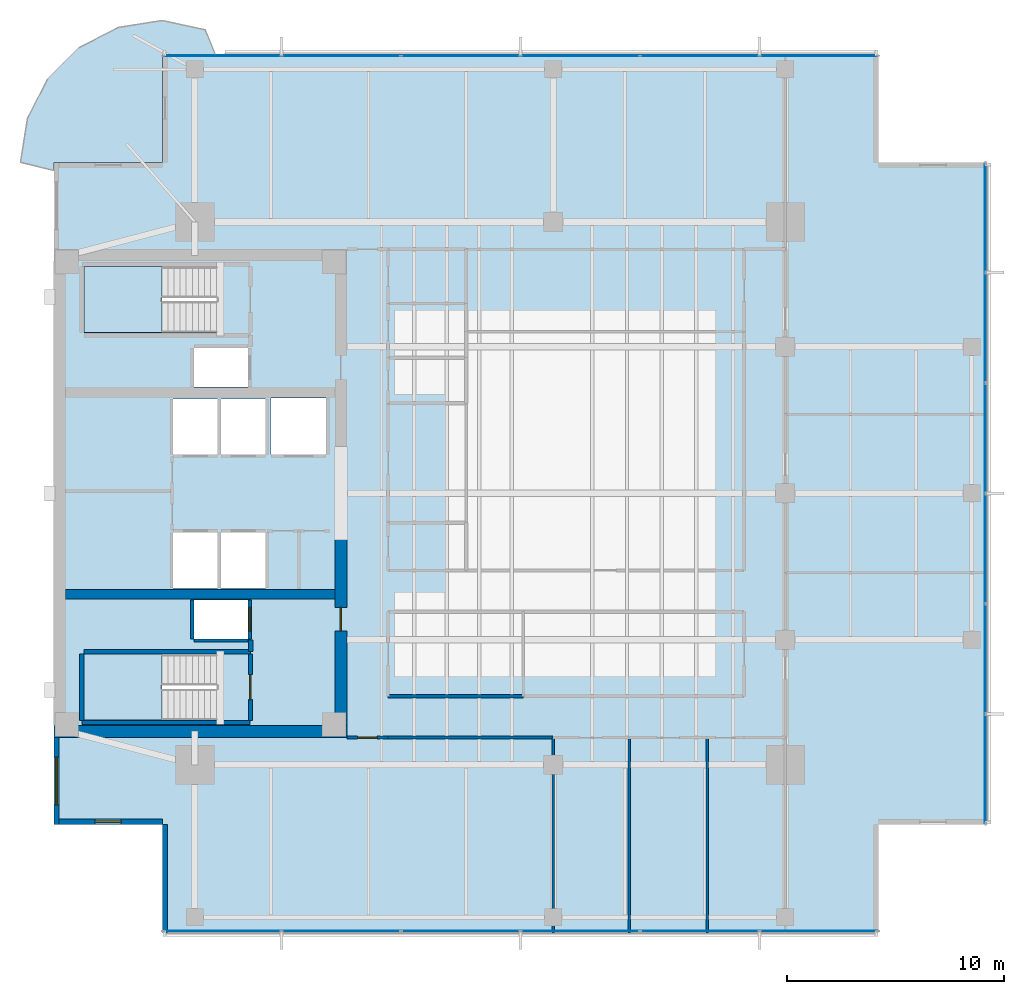
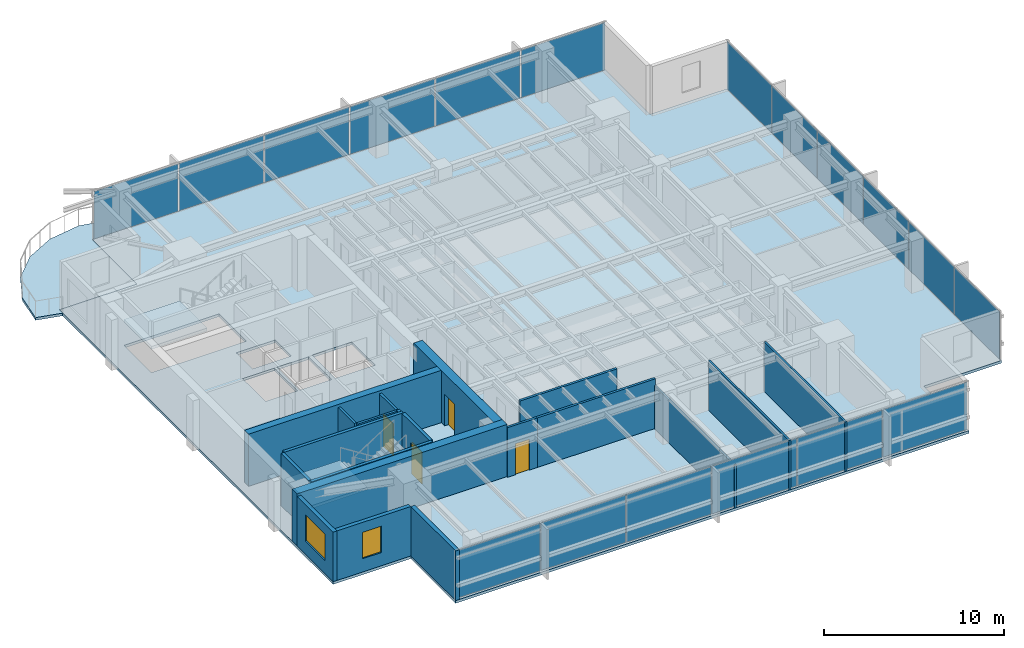
# One storey, part 7 of 14: 20 walls, 18 plates, 4 doors, 4 slabs, 2 windows, 6 openings, 5 elements without a shape of their own.
"""IFC4 building model written with IfcOpenShell, lengths in metres."""

from ifc_helpers import new_model, si_unit, direction, frame, frame_2d, origin, origin_2d, place, context, subcontext, project, spatial, polyline, rectangle, outline, extrude, material, layer, layer_set, type_object, element, fill, aggregate, save


model = new_model("IFC4")

# Units and contexts
model_context = context("Model", 3, precision=1e-05, world=origin(), true_north=direction((0.0, 1.0)))
body_context = subcontext(model_context, "Body", "Model", "MODEL_VIEW")
ifc_project = project(units=[si_unit("LENGTHUNIT", "METRE"), si_unit("AREAUNIT", "SQUARE_METRE"), si_unit("VOLUMEUNIT", "CUBIC_METRE"), si_unit("PLANEANGLEUNIT", "RADIAN"), si_unit("MASSUNIT", "GRAM", prefix="KILO")], contexts=[model_context])

# Site, building, storey
site_placement = place(None, origin())
site = spatial("IfcSite", under=ifc_project, at=site_placement, CompositionType="ELEMENT")
building_placement = place(site_placement, origin())
building = spatial("IfcBuilding", under=site, at=building_placement, Name="Kinhvarn Gate Tower", CompositionType="ELEMENT")
storey_placement = place(building_placement, frame((0.0, 0.0, 227.10009765625)))
storey = spatial("IfcBuildingStorey", under=building, at=storey_placement, Name="L60", CompositionType="ELEMENT", Elevation=227.10009765625)

# Curtain wall, plates
ifc_material_1 = material(Name="Anodised aluminium AW-6063", Category="aluminium")
ifc_layer_1 = layer(ifc_material_1, 0.179931640625)
ifc_layer_set_1 = layer_set([ifc_layer_1], Name="Anodised aluminium AW-6063")
curtain_wall_type = type_object("IfcCurtainWallType", Name="CW-SYS-3", PredefinedType="NOTDEFINED", material=ifc_layer_set_1)
curtain_wall_1_placement = place(storey_placement, origin())
curtain_wall_1 = element("IfcCurtainWall", 1, at=curtain_wall_1_placement, inside=storey, type_object=curtain_wall_type, Name="Curtain Wall CW3 (L60)", PredefinedType="NOTDEFINED")
ifc_material_2 = material(Name="Clear low-e double glazing", Category="glass")
ifc_layer_2 = layer(ifc_material_2, 0.031982421875)
ifc_layer_set_2 = layer_set([ifc_layer_2], Name="Clear low-e double glazing")
plate_type = type_object("IfcPlateType", Name="CW-PNL-VIS", PredefinedType="CURTAIN_PANEL", material=ifc_layer_set_2)
plate_1_placement = place(storey_placement, frame((12.266357421875, 5.090087890625, 0.06982421875), z_axis=(0.0, 0.0, 1.0), x_axis=(1.0, 0.0, 0.0)))
plate_1 = element("IfcPlate", 2, at=plate_1_placement, type_object=plate_type, Name="CW3 panel 1.1", PredefinedType="CURTAIN_PANEL", context=body_context, shape_type="SweptSolid", body=[
    extrude(rectangle(XDim=5.402587890625, YDim=0.031982421875, at=origin_2d()), origin(), (0.0, 0.0, 1.0), 3.22998046875),
])
plate_2_placement = place(storey_placement, frame((17.75, 5.090087890625, 0.06982421875), z_axis=(0.0, 0.0, 1.0), x_axis=(1.0, 0.0, 0.0)))
plate_2 = element("IfcPlate", 3, at=plate_2_placement, type_object=plate_type, Name="CW3 panel 2.1", PredefinedType="CURTAIN_PANEL", context=body_context, shape_type="SweptSolid", body=[
    extrude(rectangle(XDim=5.43505859375, YDim=0.031982421875, at=origin_2d()), origin(), (0.0, 0.0, 1.0), 3.22998046875),
])
plate_3_placement = place(storey_placement, frame((23.25, 5.090087890625, 0.06982421875), z_axis=(0.0, 0.0, 1.0), x_axis=(1.0, 0.0, 0.0)))
plate_3 = element("IfcPlate", 4, at=plate_3_placement, type_object=plate_type, Name="CW3 panel 3.1", PredefinedType="CURTAIN_PANEL", context=body_context, shape_type="SweptSolid", body=[
    extrude(rectangle(XDim=5.43505859375, YDim=0.031982421875, at=origin_2d()), origin(), (0.0, 0.0, 1.0), 3.22998046875),
])
plate_4_placement = place(storey_placement, frame((28.75, 5.090087890625, 0.06982421875), z_axis=(0.0, 0.0, 1.0), x_axis=(1.0, 0.0, 0.0)))
plate_4 = element("IfcPlate", 5, at=plate_4_placement, type_object=plate_type, Name="CW3 panel 4.1", PredefinedType="CURTAIN_PANEL", context=body_context, shape_type="SweptSolid", body=[
    extrude(rectangle(XDim=5.43505859375, YDim=0.031982421875, at=origin_2d()), origin(), (0.0, 0.0, 1.0), 3.22998046875),
])
plate_5_placement = place(storey_placement, frame((34.25, 5.090087890625, 0.06982421875), z_axis=(0.0, 0.0, 1.0), x_axis=(1.0, 0.0, 0.0)))
plate_5 = element("IfcPlate", 6, at=plate_5_placement, type_object=plate_type, Name="CW3 panel 5.1", PredefinedType="CURTAIN_PANEL", context=body_context, shape_type="SweptSolid", body=[
    extrude(rectangle(XDim=5.43505859375, YDim=0.031982421875, at=origin_2d()), origin(), (0.0, 0.0, 1.0), 3.22998046875),
])
plate_6_placement = place(storey_placement, frame((39.733642578125, 5.090087890625, 0.06982421875), z_axis=(0.0, 0.0, 1.0), x_axis=(1.0, 0.0, 0.0)))
plate_6 = element("IfcPlate", 7, at=plate_6_placement, type_object=plate_type, Name="CW3 panel 6.1", PredefinedType="CURTAIN_PANEL", context=body_context, shape_type="SweptSolid", body=[
    extrude(rectangle(XDim=5.402587890625, YDim=0.031982421875, at=origin_2d()), origin(), (0.0, 0.0, 1.0), 3.22998046875),
])
aggregate(curtain_wall_1, [plate_1, plate_2, plate_3, plate_4, plate_5, plate_6])

curtain_wall_2_placement = place(storey_placement, origin())
curtain_wall_2 = element("IfcCurtainWall", 8, at=curtain_wall_2_placement, inside=storey, type_object=curtain_wall_type, Name="Curtain Wall CW3 (L60)", PredefinedType="NOTDEFINED")
plate_7_placement = place(storey_placement, frame((39.733642578125, 45.409912109375, 0.06982421875), z_axis=(0.0, 0.0, 1.0), x_axis=(-1.0, 0.0, 0.0)))
plate_7 = element("IfcPlate", 9, at=plate_7_placement, type_object=plate_type, Name="CW3 panel 1.1", PredefinedType="CURTAIN_PANEL", context=body_context, shape_type="SweptSolid", body=[
    extrude(rectangle(XDim=5.402587890625, YDim=0.031982421875, at=origin_2d()), origin(), (0.0, 0.0, 1.0), 3.22998046875),
])
plate_8_placement = place(storey_placement, frame((34.25, 45.409912109375, 0.06982421875), z_axis=(0.0, 0.0, 1.0), x_axis=(-1.0, 0.0, 0.0)))
plate_8 = element("IfcPlate", 10, at=plate_8_placement, type_object=plate_type, Name="CW3 panel 2.1", PredefinedType="CURTAIN_PANEL", context=body_context, shape_type="SweptSolid", body=[
    extrude(rectangle(XDim=5.43505859375, YDim=0.031982421875, at=origin_2d()), origin(), (0.0, 0.0, 1.0), 3.22998046875),
])
plate_9_placement = place(storey_placement, frame((28.75, 45.409912109375, 0.06982421875), z_axis=(0.0, 0.0, 1.0), x_axis=(-1.0, 0.0, 0.0)))
plate_9 = element("IfcPlate", 11, at=plate_9_placement, type_object=plate_type, Name="CW3 panel 3.1", PredefinedType="CURTAIN_PANEL", context=body_context, shape_type="SweptSolid", body=[
    extrude(rectangle(XDim=5.43505859375, YDim=0.031982421875, at=origin_2d()), origin(), (0.0, 0.0, 1.0), 3.22998046875),
])
plate_10_placement = place(storey_placement, frame((23.25, 45.409912109375, 0.06982421875), z_axis=(0.0, 0.0, 1.0), x_axis=(-1.0, 0.0, 0.0)))
plate_10 = element("IfcPlate", 12, at=plate_10_placement, type_object=plate_type, Name="CW3 panel 4.1", PredefinedType="CURTAIN_PANEL", context=body_context, shape_type="SweptSolid", body=[
    extrude(rectangle(XDim=5.43505859375, YDim=0.031982421875, at=origin_2d()), origin(), (0.0, 0.0, 1.0), 3.22998046875),
])
plate_11_placement = place(storey_placement, frame((17.75, 45.409912109375, 0.06982421875), z_axis=(0.0, 0.0, 1.0), x_axis=(-1.0, 0.0, 0.0)))
plate_11 = element("IfcPlate", 13, at=plate_11_placement, type_object=plate_type, Name="CW3 panel 5.1", PredefinedType="CURTAIN_PANEL", context=body_context, shape_type="SweptSolid", body=[
    extrude(rectangle(XDim=5.43505859375, YDim=0.031982421875, at=origin_2d()), origin(), (0.0, 0.0, 1.0), 3.22998046875),
])
plate_12_placement = place(storey_placement, frame((12.266357421875, 45.409912109375, 0.06982421875), z_axis=(0.0, 0.0, 1.0), x_axis=(-1.0, 0.0, 0.0)))
plate_12 = element("IfcPlate", 14, at=plate_12_placement, type_object=plate_type, Name="CW3 panel 6.1", PredefinedType="CURTAIN_PANEL", context=body_context, shape_type="SweptSolid", body=[
    extrude(rectangle(XDim=5.402587890625, YDim=0.031982421875, at=origin_2d()), origin(), (0.0, 0.0, 1.0), 3.22998046875),
])
aggregate(curtain_wall_2, [plate_7, plate_8, plate_9, plate_10, plate_11, plate_12])

curtain_wall_3_placement = place(storey_placement, origin())
curtain_wall_3 = element("IfcCurtainWall", 15, at=curtain_wall_3_placement, inside=storey, type_object=curtain_wall_type, Name="Curtain Wall CW3 (L60)", PredefinedType="NOTDEFINED")
plate_13_placement = place(storey_placement, frame((47.409912109375, 12.557861328125, 0.06982421875), z_axis=(0.0, 0.0, 1.0), x_axis=(0.0, 1.0, 0.0)))
plate_13 = element("IfcPlate", 16, at=plate_13_placement, type_object=plate_type, Name="CW3 panel 1.1", PredefinedType="CURTAIN_PANEL", context=body_context, shape_type="SweptSolid", body=[
    extrude(rectangle(XDim=4.98583984375, YDim=0.031982421875, at=origin_2d()), origin(), (0.0, 0.0, 1.0), 3.22998046875),
])
plate_14_placement = place(storey_placement, frame((47.409912109375, 17.625, 0.06982421875), z_axis=(0.0, 0.0, 1.0), x_axis=(0.0, 1.0, 0.0)))
plate_14 = element("IfcPlate", 17, at=plate_14_placement, type_object=plate_type, Name="CW3 panel 2.1", PredefinedType="CURTAIN_PANEL", context=body_context, shape_type="SweptSolid", body=[
    extrude(rectangle(XDim=5.018310546875, YDim=0.031982421875, at=origin_2d()), origin(), (0.0, 0.0, 1.0), 3.22998046875),
])
plate_15_placement = place(storey_placement, frame((47.409912109375, 22.708251953125, 0.06982421875), z_axis=(0.0, 0.0, 1.0), x_axis=(0.0, 1.0, 0.0)))
plate_15 = element("IfcPlate", 18, at=plate_15_placement, type_object=plate_type, Name="CW3 panel 3.1", PredefinedType="CURTAIN_PANEL", context=body_context, shape_type="SweptSolid", body=[
    extrude(rectangle(XDim=5.018310546875, YDim=0.031982421875, at=origin_2d()), origin(), (0.0, 0.0, 1.0), 3.22998046875),
])
plate_16_placement = place(storey_placement, frame((47.409912109375, 27.791748046875, 0.06982421875), z_axis=(0.0, 0.0, 1.0), x_axis=(0.0, 1.0, 0.0)))
plate_16 = element("IfcPlate", 19, at=plate_16_placement, type_object=plate_type, Name="CW3 panel 4.1", PredefinedType="CURTAIN_PANEL", context=body_context, shape_type="SweptSolid", body=[
    extrude(rectangle(XDim=5.018310546875, YDim=0.031982421875, at=origin_2d()), origin(), (0.0, 0.0, 1.0), 3.22998046875),
])
plate_17_placement = place(storey_placement, frame((47.409912109375, 32.875, 0.06982421875), z_axis=(0.0, 0.0, 1.0), x_axis=(0.0, 1.0, 0.0)))
plate_17 = element("IfcPlate", 20, at=plate_17_placement, type_object=plate_type, Name="CW3 panel 5.1", PredefinedType="CURTAIN_PANEL", context=body_context, shape_type="SweptSolid", body=[
    extrude(rectangle(XDim=5.018310546875, YDim=0.031982421875, at=origin_2d()), origin(), (0.0, 0.0, 1.0), 3.22998046875),
])
plate_18_placement = place(storey_placement, frame((47.409912109375, 37.942138671875, 0.06982421875), z_axis=(0.0, 0.0, 1.0), x_axis=(0.0, 1.0, 0.0)))
plate_18 = element("IfcPlate", 21, at=plate_18_placement, type_object=plate_type, Name="CW3 panel 6.1", PredefinedType="CURTAIN_PANEL", context=body_context, shape_type="SweptSolid", body=[
    extrude(rectangle(XDim=4.98583984375, YDim=0.031982421875, at=origin_2d()), origin(), (0.0, 0.0, 1.0), 3.22998046875),
])
aggregate(curtain_wall_3, [plate_13, plate_14, plate_15, plate_16, plate_17, plate_18])

# Slabs
ifc_material_3 = material(Name="Precast white architectural concrete C40/50", Category="concrete")
ifc_layer_3 = layer(ifc_material_3, 0.179931640625)
ifc_layer_set_3 = layer_set([ifc_layer_3], Name="Precast white architectural concrete C40/50")
slab_type_1 = type_object("IfcSlabType", Name="SLB-BAL-180", PredefinedType="FLOOR", material=ifc_layer_set_3)
slab_1_placement = place(storey_placement, frame((0.0, 0.0, -0.18017578125)))
element("IfcSlab", 22, at=slab_1_placement, inside=storey, type_object=slab_type_1, Name="S-Carve Curved Terrace Balcony Slab L60 (NW)", PredefinedType="FLOOR", context=body_context, shape_type="SweptSolid", body=[
    extrude(outline(polyline([(11.927978515625, 45.5), (11.47802734375, 46.602294921875), (9.5, 47.031005859375), (7.481689453125, 46.71142578125), (5.6611328125, 45.78369140625), (4.21630859375, 44.3388671875), (3.28857421875, 42.518310546875), (2.968994140625, 40.5), (4.5, 40.125), (4.5, 40.5), (9.5, 40.5), (9.5, 45.5), (11.927978515625, 45.5)])), origin(), (0.0, 0.0, 1.0), 0.18017578125),
])
ifc_material_4 = material(Name="Concrete C40/50", Category="concrete")
ifc_layer_4 = layer(ifc_material_4, 0.179931640625)
ifc_layer_set_4 = layer_set([ifc_layer_4], Name="Concrete C40/50")
slab_type_2 = type_object("IfcSlabType", Name="SLB-FLR-180", PredefinedType="FLOOR", material=ifc_layer_set_4)
slab_2_placement = place(storey_placement, frame((0.0, 0.0, -0.18017578125)))
element("IfcSlab", 23, at=slab_2_placement, inside=storey, type_object=slab_type_2, Name="Suspended Floor Slab L60", PredefinedType="FLOOR", context=body_context, shape_type="SweptSolid", body=[
    extrude(outline(polyline([(9.5, 5.0), (42.5, 5.0), (42.5, 10.0), (47.5, 10.0), (47.5, 40.5), (42.5, 40.5), (42.5, 45.5), (9.5, 45.5), (9.5, 40.5), (4.5, 40.5), (4.5, 10.0), (9.5, 10.0), (9.5, 5.0)]), holes=[polyline([(5.89990234375, 14.800048828125), (12.0, 14.800048828125), (12.0, 17.85009765625), (5.89990234375, 17.85009765625), (5.89990234375, 14.800048828125)]), polyline([(5.89990234375, 32.64990234375), (12.0, 32.64990234375), (12.0, 35.699951171875), (5.89990234375, 35.699951171875), (5.89990234375, 32.64990234375)]), polyline([(10.0, 20.89990234375), (12.050048828125, 20.89990234375), (12.050048828125, 23.449951171875), (10.0, 23.449951171875), (10.0, 20.89990234375)]), polyline([(12.199951171875, 20.89990234375), (14.25, 20.89990234375), (14.25, 23.449951171875), (12.199951171875, 23.449951171875), (12.199951171875, 20.89990234375)]), polyline([(10.0, 27.050048828125), (12.050048828125, 27.050048828125), (12.050048828125, 29.60009765625), (10.0, 29.60009765625), (10.0, 27.050048828125)]), polyline([(12.199951171875, 27.050048828125), (14.25, 27.050048828125), (14.25, 29.60009765625), (12.199951171875, 29.60009765625), (12.199951171875, 27.050048828125)]), polyline([(14.5, 27.050048828125), (17.050048828125, 27.050048828125), (17.050048828125, 29.64990234375), (14.5, 29.64990234375), (14.5, 27.050048828125)]), polyline([(10.949951171875, 18.550048828125), (13.449951171875, 18.550048828125), (13.449951171875, 20.35009765625), (10.949951171875, 20.35009765625), (10.949951171875, 18.550048828125)]), polyline([(10.949951171875, 30.14990234375), (13.449951171875, 30.14990234375), (13.449951171875, 31.949951171875), (10.949951171875, 31.949951171875), (10.949951171875, 30.14990234375)])]), origin(), (0.0, 0.0, 1.0), 0.18017578125),
])

# Stair, slab
stair_type = type_object("IfcStairType", Name="STR-DLG-178", PredefinedType="HALF_TURN_STAIR", material=ifc_material_4)
stair_1_placement = place(storey_placement, origin())
stair_1 = element("IfcStair", 24, at=stair_1_placement, inside=storey, type_object=stair_type, Name="L60 Core Smokeproof Exit Stair ST1", PredefinedType="HALF_TURN_STAIR")
ifc_layer_5 = layer(ifc_material_4, 0.199951171875)
ifc_layer_set_5 = layer_set([ifc_layer_5], Name="Concrete C40/50")
slab_type_3 = type_object("IfcSlabType", Name="SLB-ST-LND", PredefinedType="LANDING", material=ifc_layer_set_5)
slab_3_placement = place(storey_placement, frame((0.0, 0.0, 1.574951171875)))
slab_3 = element("IfcSlab", 25, at=slab_3_placement, type_object=slab_type_3, Name="ST1 landing 1", PredefinedType="LANDING", context=body_context, shape_type="SweptSolid", body=[
    extrude(outline(polyline([(9.47998046875, 17.85009765625), (5.89990234375, 17.85009765625), (5.89990234375, 14.800048828125), (9.47998046875, 14.800048828125), (9.47998046875, 17.85009765625)])), origin(), (0.0, 0.0, 1.0), 0.199951171875),
])
aggregate(stair_1, [slab_3])

stair_2_placement = place(storey_placement, origin())
stair_2 = element("IfcStair", 26, at=stair_2_placement, inside=storey, type_object=stair_type, Name="L60 Core Smokeproof Exit Stair ST2", PredefinedType="HALF_TURN_STAIR")
slab_4_placement = place(storey_placement, frame((0.0, 0.0, 1.574951171875)))
slab_4 = element("IfcSlab", 27, at=slab_4_placement, type_object=slab_type_3, Name="ST2 landing 1", PredefinedType="LANDING", context=body_context, shape_type="SweptSolid", body=[
    extrude(outline(polyline([(9.47998046875, 35.699951171875), (5.89990234375, 35.699951171875), (5.89990234375, 32.64990234375), (9.47998046875, 32.64990234375), (9.47998046875, 35.699951171875)])), origin(), (0.0, 0.0, 1.0), 0.199951171875),
])
aggregate(stair_2, [slab_4])

# Walls
ifc_material_5 = material(Name="Concrete C50/60", Category="concrete")
ifc_layer_6 = layer(ifc_material_5, 0.449951171875)
ifc_layer_set_6 = layer_set([ifc_layer_6], Name="Concrete C50/60")
wall_type_1 = type_object("IfcWallType", Name="WL-CORE-450", PredefinedType="SHEAR", material=ifc_layer_set_6)
wall_1_placement = place(storey_placement, frame((5.050048828125, 20.60009765625, 0.0), z_axis=(0.0, 0.0, 1.0), x_axis=(1.0, 0.0, 0.0)))
element("IfcWall", 28, at=wall_1_placement, inside=storey, type_object=wall_type_1, Name="Core South Spine Shear Wall L60 450 mm", PredefinedType="SHEAR", context=body_context, shape_type="SweptSolid", body=[
    extrude(rectangle(XDim=12.39990234375, YDim=0.449951171875, at=frame_2d((6.199951171875, 0.0))), origin(), (0.0, 0.0, 1.0), 3.5498046875),
])
ifc_material_6 = material(Name="Concrete C60/75", Category="concrete")
ifc_layer_7 = layer(ifc_material_6, 0.550048828125)
ifc_layer_set_7 = layer_set([ifc_layer_7], Name="Concrete C60/75")
wall_type_2 = type_object("IfcWallType", Name="WL-CORE-550", PredefinedType="SHEAR", material=ifc_layer_set_7)
wall_2_placement = place(storey_placement, frame((4.5, 14.27490234375, 0.0), z_axis=(0.0, 0.0, 1.0), x_axis=(1.0, 0.0, 0.0)))
element("IfcWall", 29, at=wall_2_placement, inside=storey, type_object=wall_type_2, Name="Core South Shear Wall L60 550 mm", PredefinedType="SHEAR", context=body_context, shape_type="SweptSolid", body=[
    extrude(rectangle(XDim=13.5, YDim=0.550048828125, at=frame_2d((6.75, 0.0))), origin(), (0.0, 0.0, 1.0), 3.5498046875),
])

# Wall, opening, door
wall_3_placement = place(storey_placement, frame((17.72509765625, 14.550048828125, 0.0), z_axis=(0.0, 0.0, 1.0), x_axis=(0.0, 1.0, 0.0)))
wall_3 = element("IfcWall", 30, at=wall_3_placement, inside=storey, type_object=wall_type_2, Name="Core East-South Shear Pier L60 550 mm", PredefinedType="SHEAR", context=body_context, shape_type="SweptSolid", body=[
    extrude(rectangle(XDim=8.89990234375, YDim=0.550048828125, at=frame_2d((4.449951171875, 0.0))), origin(), (0.0, 0.0, 1.0), 3.5498046875),
])
opening_1_placement = place(wall_3_placement, frame((4.35009765625, 0.0, 0.0)))
opening_1 = element("IfcOpeningElement", 31, at=opening_1_placement, cuts=wall_3, Name="Opening FD-02", PredefinedType="OPENING", context=body_context, shape_type="SweptSolid", body=[
    extrude(rectangle(XDim=1.10009765625, YDim=2.14990234375, at=frame_2d((0.550048828125, 1.074951171875))), frame((0.0, 0.28515625, 0.0), z_axis=(0.0, -1.0, 0.0), x_axis=(1.0, 0.0, 0.0)), (0.0, 0.0, 1.0), 0.570068359375),
])
door_type_1 = type_object("IfcDoorType", Name="DR-FD-1100", OperationType="NOTDEFINED", PredefinedType="DOOR", material=ifc_material_1)
door_1_placement = place(opening_1_placement, origin())
door_1 = element("IfcDoor", 32, at=door_1_placement, inside=storey, type_object=door_type_1, Name="Firefighting Lobby Core Door (L60)", OperationType="SINGLE_SWING_RIGHT", OverallHeight=2.14990234375, OverallWidth=1.10009765625, PredefinedType="DOOR", context=body_context, shape_type="SweptSolid", body=[
    extrude(rectangle(XDim=1.10009765625, YDim=2.14990234375, at=frame_2d((0.550048828125, 1.074951171875))), frame((0.0, 0.02490234375, 0.0), z_axis=(0.0, -1.0, 0.0), x_axis=(1.0, 0.0, 0.0)), (0.0, 0.0, 1.0), 0.050048828125),
])
fill(opening_1, door_1)

# Wall, opening, window
ifc_material_7 = material(Name="Fired architectural terracotta", Category="masonry")
ifc_layer_8 = layer(ifc_material_7, 0.25)
ifc_layer_set_8 = layer_set([ifc_layer_8], Name="Fired architectural terracotta")
wall_type_3 = type_object("IfcWallType", Name="WL-EXT-250", PredefinedType="SOLIDWALL", material=ifc_layer_set_8)
wall_4_placement = place(storey_placement, frame((4.625, 14.0, 0.0), z_axis=(0.0, 0.0, 1.0), x_axis=(0.0, -1.0, 0.0)))
wall_4 = element("IfcWall", 33, at=wall_4_placement, inside=storey, type_object=wall_type_3, Name="Exterior Solidwall Wall EW-250 (L60 West-South)", PredefinedType="SOLIDWALL", context=body_context, shape_type="SweptSolid", body=[
    extrude(rectangle(XDim=4.0, YDim=0.25, at=frame_2d((2.0, 0.0))), origin(), (0.0, 0.0, 1.0), 3.369873046875),
])
opening_2_placement = place(wall_4_placement, frame((0.89990234375, 0.0, 0.89990234375)))
opening_2 = element("IfcOpeningElement", 34, at=opening_2_placement, cuts=wall_4, Name="Opening WN-01", PredefinedType="OPENING", context=body_context, shape_type="SweptSolid", body=[
    extrude(rectangle(XDim=2.199951171875, YDim=1.800048828125, at=frame_2d((1.10009765625, 0.89990234375))), frame((0.0, 0.135009765625, 0.0), z_axis=(0.0, -1.0, 0.0), x_axis=(1.0, 0.0, 0.0)), (0.0, 0.0, 1.0), 0.27001953125),
])
window_type_1 = type_object("IfcWindowType", Name="WIN-RIB-2200", PartitioningType="SINGLE_PANEL", PredefinedType="WINDOW", material=ifc_material_2)
window_1_placement = place(opening_2_placement, origin())
window_1 = element("IfcWindow", 35, at=window_1_placement, inside=storey, type_object=window_type_1, Name="West Flank Double-Glazed Ribbon Window 2200x1800 mm (L60)", OverallHeight=1.800048828125, OverallWidth=2.199951171875, PartitioningType="SINGLE_PANEL", PredefinedType="WINDOW", context=body_context, shape_type="SweptSolid", body=[
    extrude(rectangle(XDim=2.199951171875, YDim=1.800048828125, at=frame_2d((1.10009765625, 0.89990234375))), frame((0.0, 0.030029296875, 0.0), z_axis=(0.0, -1.0, 0.0), x_axis=(1.0, 0.0, 0.0)), (0.0, 0.0, 1.0), 0.06005859375),
])
fill(opening_2, window_1)

wall_5_placement = place(storey_placement, frame((4.5, 10.125, 0.0), z_axis=(0.0, 0.0, 1.0), x_axis=(1.0, 0.0, 0.0)))
wall_5 = element("IfcWall", 36, at=wall_5_placement, inside=storey, type_object=wall_type_3, Name="Exterior Solidwall Wall EW-250 (L60 SW-Notch-1)", PredefinedType="SOLIDWALL", context=body_context, shape_type="SweptSolid", body=[
    extrude(rectangle(XDim=5.0, YDim=0.25, at=frame_2d((2.5, 0.0))), origin(), (0.0, 0.0, 1.0), 3.369873046875),
])
opening_3_placement = place(wall_5_placement, frame((1.89990234375, 0.0, 0.89990234375)))
opening_3 = element("IfcOpeningElement", 37, at=opening_3_placement, cuts=wall_5, Name="Opening WN-02", PredefinedType="OPENING", context=body_context, shape_type="SweptSolid", body=[
    extrude(rectangle(XDim=1.199951171875, YDim=1.800048828125, at=frame_2d((0.60009765625, 0.89990234375))), frame((0.0, 0.135009765625, 0.0), z_axis=(0.0, -1.0, 0.0), x_axis=(1.0, 0.0, 0.0)), (0.0, 0.0, 1.0), 0.27001953125),
])
window_type_2 = type_object("IfcWindowType", Name="WIN-NTC-1200", PartitioningType="SINGLE_PANEL", PredefinedType="WINDOW", material=ifc_material_2)
window_2_placement = place(opening_3_placement, origin())
window_2 = element("IfcWindow", 38, at=window_2_placement, inside=storey, type_object=window_type_2, Name="Recessed Corner Notch Punched Window 1200x1800 mm (L60)", OverallHeight=1.800048828125, OverallWidth=1.199951171875, PartitioningType="SINGLE_PANEL", PredefinedType="WINDOW", context=body_context, shape_type="SweptSolid", body=[
    extrude(rectangle(XDim=1.199951171875, YDim=1.800048828125, at=frame_2d((0.60009765625, 0.89990234375))), frame((0.0, 0.030029296875, 0.0), z_axis=(0.0, -1.0, 0.0), x_axis=(1.0, 0.0, 0.0)), (0.0, 0.0, 1.0), 0.06005859375),
])
fill(opening_3, window_2)

# Walls
wall_6_placement = place(storey_placement, frame((9.625, 10.0, 0.0), z_axis=(0.0, 0.0, 1.0), x_axis=(0.0, -1.0, 0.0)))
element("IfcWall", 39, at=wall_6_placement, inside=storey, type_object=wall_type_3, Name="Exterior Solidwall Wall EW-250 (L60 SW-Notch-2)", PredefinedType="SOLIDWALL", context=body_context, shape_type="SweptSolid", body=[
    extrude(rectangle(XDim=5.0, YDim=0.25, at=frame_2d((2.5, 0.0))), origin(), (0.0, 0.0, 1.0), 3.369873046875),
])
ifc_material_8 = material(Name="Gypsum acoustic partition board")
ifc_layer_9 = layer(ifc_material_8, 0.1201171875)
ifc_layer_set_9 = layer_set([ifc_layer_9], Name="Gypsum acoustic partition board")
wall_type_4 = type_object("IfcWallType", Name="WL-PRT-120", PredefinedType="PARTITIONING", material=ifc_layer_set_9)
wall_7_placement = place(storey_placement, frame((27.5, 5.010009765625, 0.0), z_axis=(0.0, 0.0, 1.0), x_axis=(0.0, 1.0, 0.0)))
element("IfcWall", 40, at=wall_7_placement, inside=storey, type_object=wall_type_4, Name="Interior Partition PW-120 (L60)", PredefinedType="PARTITIONING", context=body_context, shape_type="SweptSolid", body=[
    extrude(rectangle(XDim=8.989990234375, YDim=0.1201171875, at=frame_2d((4.4951171875, 0.0))), origin(), (0.0, 0.0, 1.0), 2.919921875),
])
for number, where, z_axis, x_axis, name in (
    (41, (31.0, 5.010009765625, 0.0), (0.0, 0.0, 1.0), (0.0, 1.0, 0.0), "Interior Partition PW-120 (L60)"),
    (42, (34.60009765625, 5.010009765625, 0.0), (0.0, 0.0, 1.0), (0.0, 1.0, 0.0), "Interior Partition PW-120 (L60)"),
):
    element("IfcWall", number, at=place(storey_placement, frame(where, z_axis=z_axis, x_axis=x_axis)), inside=storey, type_object=wall_type_4, Name=name, PredefinedType="PARTITIONING", context=body_context, shape_type="SweptSolid", body=[
        extrude(rectangle(XDim=8.989990234375, YDim=0.1201171875, at=frame_2d((4.4951171875, 0.0))), origin(), (0.0, 0.0, 1.0), 3.369873046875),
    ])

# Wall, opening, door
ifc_layer_10 = layer(ifc_material_8, 0.14990234375)
ifc_layer_set_10 = layer_set([ifc_layer_10], Name="Gypsum acoustic partition board")
wall_type_5 = type_object("IfcWallType", Name="WL-PRT-150F", PredefinedType="PARTITIONING", material=ifc_layer_set_10)
wall_8_placement = place(storey_placement, frame((18.0, 14.0, 0.0), z_axis=(0.0, 0.0, 1.0), x_axis=(1.0, 0.0, 0.0)))
wall_8 = element("IfcWall", 43, at=wall_8_placement, inside=storey, type_object=wall_type_5, Name="Interior Partition PW-150F (L60)", PredefinedType="PARTITIONING", context=body_context, shape_type="SweptSolid", body=[
    extrude(rectangle(XDim=1.89990234375, YDim=0.14990234375, at=frame_2d((0.949951171875, 0.0))), origin(), (0.0, 0.0, 1.0), 3.369873046875),
])
opening_4_placement = place(wall_8_placement, frame((0.5, 0.0, 0.0)))
opening_4 = element("IfcOpeningElement", 44, at=opening_4_placement, cuts=wall_8, Name="Opening ID-03", PredefinedType="OPENING", context=body_context, shape_type="SweptSolid", body=[
    extrude(rectangle(XDim=0.89990234375, YDim=2.10009765625, at=frame_2d((0.449951171875, 1.050048828125))), frame((0.0, 0.0849609375, 0.0), z_axis=(0.0, -1.0, 0.0), x_axis=(1.0, 0.0, 0.0)), (0.0, 0.0, 1.0), 0.169921875),
])
door_type_2 = type_object("IfcDoorType", Name="DR-INT-900", OperationType="NOTDEFINED", PredefinedType="DOOR", material=ifc_material_1)
door_2_placement = place(opening_4_placement, origin())
door_2 = element("IfcDoor", 45, at=door_2_placement, inside=storey, type_object=door_type_2, Name="Cellular Office & Restroom Door 900x2100 mm (L60)", OperationType="SINGLE_SWING_LEFT", OverallHeight=2.10009765625, OverallWidth=0.89990234375, PredefinedType="DOOR", context=body_context, shape_type="SweptSolid", body=[
    extrude(rectangle(XDim=0.89990234375, YDim=2.10009765625, at=frame_2d((0.449951171875, 1.050048828125))), frame((0.0, 0.02490234375, 0.0), z_axis=(0.0, -1.0, 0.0), x_axis=(1.0, 0.0, 0.0)), (0.0, 0.0, 1.0), 0.050048828125),
])
fill(opening_4, door_2)

# Walls
wall_9_placement = place(storey_placement, frame((19.89990234375, 15.89990234375, 0.0), z_axis=(0.0, 0.0, 1.0), x_axis=(1.0, 0.0, 0.0)))
element("IfcWall", 46, at=wall_9_placement, inside=storey, type_object=wall_type_5, Name="Interior Partition PW-150F (L60)", PredefinedType="PARTITIONING", context=body_context, shape_type="SweptSolid", body=[
    extrude(rectangle(XDim=6.22998046875, YDim=0.14990234375, at=frame_2d((3.114990234375, 0.0))), origin(), (0.0, 0.0, 1.0), 3.369873046875),
])
wall_10_placement = place(storey_placement, frame((19.89990234375, 14.0, 0.0), z_axis=(0.0, 0.0, 1.0), x_axis=(1.0, 0.0, 0.0)))
element("IfcWall", 47, at=wall_10_placement, inside=storey, type_object=wall_type_5, Name="Interior Partition PW-150F (L60)", PredefinedType="PARTITIONING", context=body_context, shape_type="SweptSolid", body=[
    extrude(rectangle(XDim=7.60009765625, YDim=0.14990234375, at=frame_2d((3.800048828125, 0.0))), origin(), (0.0, 0.0, 1.0), 3.369873046875),
])
ifc_layer_11 = layer(ifc_material_8, 0.199951171875)
ifc_layer_set_11 = layer_set([ifc_layer_11], Name="Gypsum acoustic partition board")
wall_type_6 = type_object("IfcWallType", Name="WL-PRT-200", PredefinedType="PARTITIONING", material=ifc_layer_set_11)
wall_11_placement = place(storey_placement, frame((13.580078125, 17.9599609375, 0.0), z_axis=(0.0, 0.0, 1.0), x_axis=(0.0, 1.0, 0.0)))
element("IfcWall", 48, at=wall_11_placement, inside=storey, type_object=wall_type_6, Name="Interior Partition PW-200 (L60)", PredefinedType="PARTITIONING", context=body_context, shape_type="SweptSolid", body=[
    extrude(rectangle(XDim=0.5400390625, YDim=0.199951171875, at=frame_2d((0.27001953125, 0.0))), origin(), (0.0, 0.0, 1.0), 3.369873046875),
])
ifc_layer_12 = layer(ifc_material_8, 0.14990234375)
ifc_layer_set_12 = layer_set([ifc_layer_12], Name="Gypsum acoustic partition board")
wall_type_7 = type_object("IfcWallType", Name="WL-SHF-150", PredefinedType="PARTITIONING", material=ifc_layer_set_12)
wall_12_placement = place(storey_placement, frame((10.949951171875, 18.47509765625, 0.0), z_axis=(0.0, 0.0, 1.0), x_axis=(1.0, 0.0, 0.0)))
element("IfcWall", 49, at=wall_12_placement, inside=storey, type_object=wall_type_7, Name="Elevator FF1 Hoistway Wall S (L60)", PredefinedType="PARTITIONING", context=body_context, shape_type="SweptSolid", body=[
    extrude(rectangle(XDim=2.5, YDim=0.14990234375, at=frame_2d((1.25, 0.0))), origin(), (0.0, 0.0, 1.0), 3.369873046875),
])
wall_13_placement = place(storey_placement, frame((10.875, 18.550048828125, 0.0), z_axis=(0.0, 0.0, 1.0), x_axis=(0.0, 1.0, 0.0)))
element("IfcWall", 50, at=wall_13_placement, inside=storey, type_object=wall_type_7, Name="Elevator FF1 Hoistway Wall W (L60)", PredefinedType="PARTITIONING", context=body_context, shape_type="SweptSolid", body=[
    extrude(rectangle(XDim=1.800048828125, YDim=0.14990234375, at=frame_2d((0.89990234375, 0.0))), origin(), (0.0, 0.0, 1.0), 3.369873046875),
])

# Wall, opening, door
wall_14_placement = place(storey_placement, frame((13.52490234375, 18.550048828125, 0.0), z_axis=(0.0, 0.0, 1.0), x_axis=(0.0, 1.0, 0.0)))
wall_14 = element("IfcWall", 51, at=wall_14_placement, inside=storey, type_object=wall_type_7, Name="Elevator FF1 Landing Wall (L60)", PredefinedType="PARTITIONING", context=body_context, shape_type="SweptSolid", body=[
    extrude(rectangle(XDim=1.800048828125, YDim=0.14990234375, at=frame_2d((0.89990234375, 0.0))), origin(), (0.0, 0.0, 1.0), 3.369873046875),
])
opening_5_placement = place(wall_14_placement, frame((0.35009765625, 0.0, 0.0)))
opening_5 = element("IfcOpeningElement", 52, at=opening_5_placement, cuts=wall_14, Name="Opening LD-03", PredefinedType="OPENING", context=body_context, shape_type="SweptSolid", body=[
    extrude(rectangle(XDim=1.10009765625, YDim=2.199951171875, at=frame_2d((0.550048828125, 1.10009765625))), frame((0.0, 0.0849609375, 0.0), z_axis=(0.0, -1.0, 0.0), x_axis=(1.0, 0.0, 0.0)), (0.0, 0.0, 1.0), 0.169921875),
])
door_type_3 = type_object("IfcDoorType", Name="DR-LND-FF", OperationType="NOTDEFINED", PredefinedType="DOOR", material=ifc_material_1)
door_3_placement = place(opening_5_placement, origin())
door_3 = element("IfcDoor", 53, at=door_3_placement, inside=storey, type_object=door_type_3, Name="Elevator FF1 Sliding Landing Door (L60)", OperationType="DOUBLE_DOOR_SLIDING", OverallHeight=2.199951171875, OverallWidth=1.10009765625, PredefinedType="DOOR", context=body_context, shape_type="SweptSolid", body=[
    extrude(rectangle(XDim=1.10009765625, YDim=2.199951171875, at=frame_2d((0.550048828125, 1.10009765625))), frame((0.0, 0.02490234375, 0.0), z_axis=(0.0, -1.0, 0.0), x_axis=(1.0, 0.0, 0.0)), (0.0, 0.0, 1.0), 0.050048828125),
])
fill(opening_5, door_3)

# Walls
ifc_layer_13 = layer(ifc_material_4, 0.199951171875)
ifc_layer_set_13 = layer_set([ifc_layer_13], Name="Concrete C40/50")
wall_type_8 = type_object("IfcWallType", Name="WL-SHF-200", PredefinedType="SOLIDWALL", material=ifc_layer_set_13)
wall_15_placement = place(storey_placement, frame((5.800048828125, 14.699951171875, 0.0), z_axis=(0.0, 0.0, 1.0), x_axis=(1.0, 0.0, 0.0)))
element("IfcWall", 54, at=wall_15_placement, inside=storey, type_object=wall_type_8, Name="Stair ST1 South Shaft Wall (L60)", PredefinedType="SOLIDWALL", context=body_context, shape_type="SweptSolid", body=[
    extrude(rectangle(XDim=7.75, YDim=0.199951171875, at=frame_2d((3.875, 0.0))), origin(), (0.0, 0.0, 1.0), 3.5498046875),
])
wall_16_placement = place(storey_placement, frame((5.7900390625, 14.800048828125, 0.0), z_axis=(0.0, 0.0, 1.0), x_axis=(0.0, 1.0, 0.0)))
element("IfcWall", 55, at=wall_16_placement, inside=storey, type_object=wall_type_8, Name="Stair ST1 West Shaft Wall (L60)", PredefinedType="SOLIDWALL", context=body_context, shape_type="SweptSolid", body=[
    extrude(rectangle(XDim=3.050048828125, YDim=0.199951171875, at=frame_2d((1.52490234375, 0.0))), origin(), (0.0, 0.0, 1.0), 3.5498046875),
])
wall_17_placement = place(storey_placement, frame((5.89990234375, 17.9599609375, 0.0), z_axis=(0.0, 0.0, 1.0), x_axis=(1.0, 0.0, 0.0)))
element("IfcWall", 56, at=wall_17_placement, inside=storey, type_object=wall_type_8, Name="Stair ST1 North Shaft Wall (L60)", PredefinedType="SOLIDWALL", context=body_context, shape_type="SweptSolid", body=[
    extrude(rectangle(XDim=7.66015625, YDim=0.199951171875, at=frame_2d((3.830078125, 0.0))), origin(), (0.0, 0.0, 1.0), 3.5498046875),
])

# Wall, opening, door
wall_18_placement = place(storey_placement, frame((13.56005859375, 14.800048828125, 0.0), z_axis=(0.0, 0.0, 1.0), x_axis=(0.0, 1.0, 0.0)))
wall_18 = element("IfcWall", 57, at=wall_18_placement, inside=storey, type_object=wall_type_8, Name="Stair ST1 East Entry Wall (L60)", PredefinedType="SOLIDWALL", context=body_context, shape_type="SweptSolid", body=[
    extrude(rectangle(XDim=3.050048828125, YDim=0.199951171875, at=frame_2d((1.52490234375, 0.0))), origin(), (0.0, 0.0, 1.0), 3.5498046875),
])
opening_6_placement = place(wall_18_placement, frame((0.949951171875, 0.0, 0.0)))
opening_6 = element("IfcOpeningElement", 58, at=opening_6_placement, cuts=wall_18, Name="Opening FD-01", PredefinedType="OPENING", context=body_context, shape_type="SweptSolid", body=[
    extrude(rectangle(XDim=1.14990234375, YDim=2.14990234375, at=frame_2d((0.574951171875, 1.074951171875))), frame((0.0, 0.10986328125, 0.0), z_axis=(0.0, -1.0, 0.0), x_axis=(1.0, 0.0, 0.0)), (0.0, 0.0, 1.0), 0.219970703125),
])
door_type_4 = type_object("IfcDoorType", Name="DR-ST-1150", OperationType="NOTDEFINED", PredefinedType="DOOR", material=ifc_material_1)
door_4_placement = place(opening_6_placement, origin())
door_4 = element("IfcDoor", 59, at=door_4_placement, inside=storey, type_object=door_type_4, Name="Exit Stair ST1 Fire Door (L60)", OperationType="SINGLE_SWING_RIGHT", OverallHeight=2.14990234375, OverallWidth=1.14990234375, PredefinedType="DOOR", context=body_context, shape_type="SweptSolid", body=[
    extrude(rectangle(XDim=1.14990234375, YDim=2.14990234375, at=frame_2d((0.574951171875, 1.074951171875))), frame((0.0, 0.02490234375, 0.0), z_axis=(0.0, -1.0, 0.0), x_axis=(1.0, 0.0, 0.0)), (0.0, 0.0, 1.0), 0.050048828125),
])
fill(opening_6, door_4)

save(model, "model.ifc")
